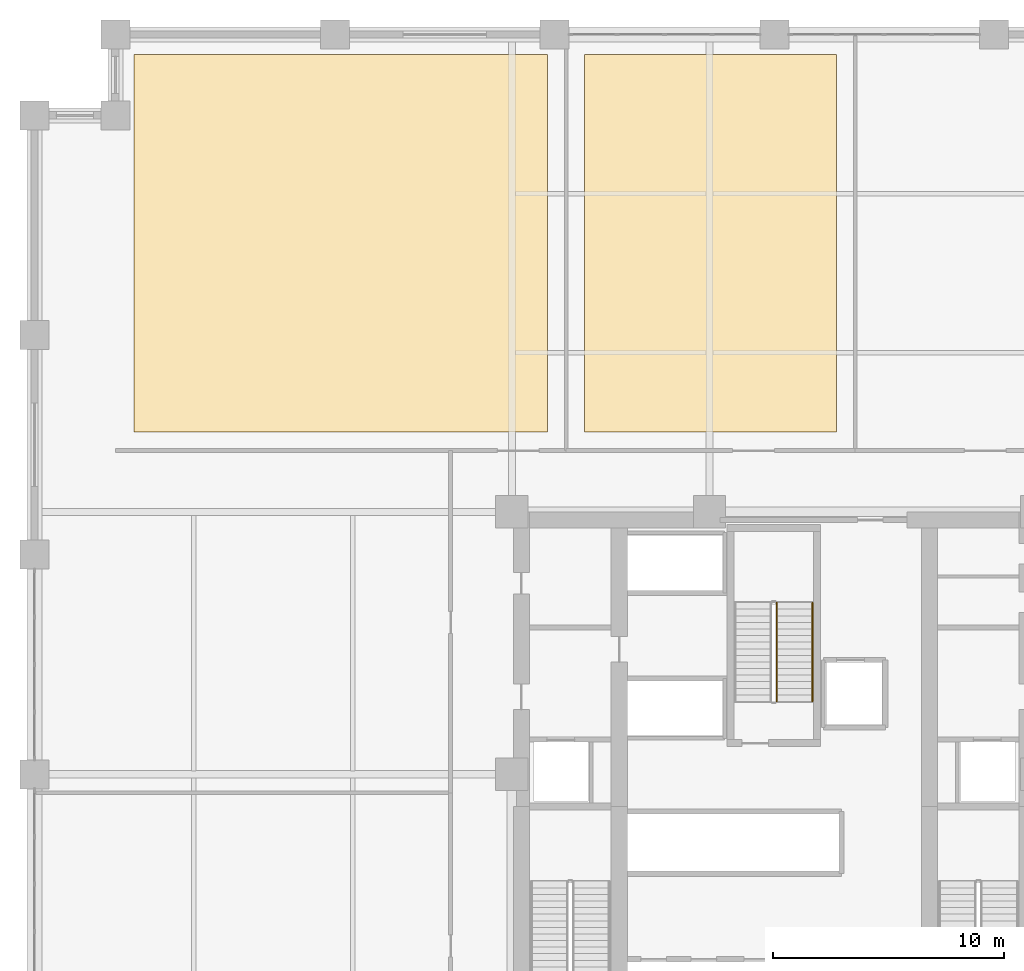
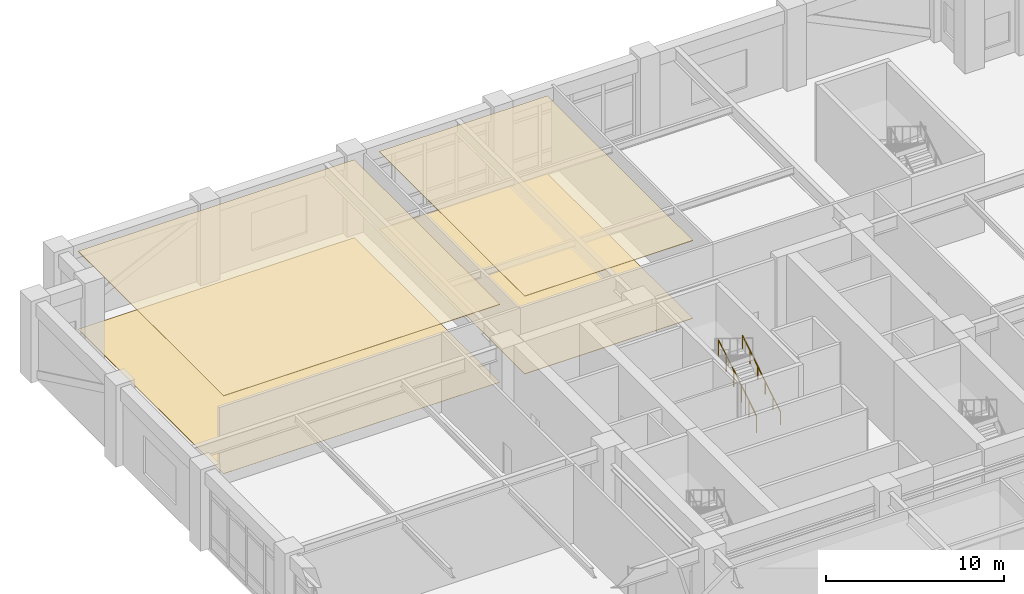
# One storey, part 20 of 21: 4 coverings, 2 railings.
"""IFC4 building model written with IfcOpenShell, lengths in metres."""

from ifc_helpers import new_model, si_unit, direction, frame, origin, origin_2d, place, context, subcontext, project, spatial, polyline, circle, outline, extrude, material, layer, layer_set, type_object, element, save


model = new_model("IFC4")

# Units and contexts
model_context = context("Model", 3, precision=1e-05, world=origin(), true_north=direction((0.0, 1.0)))
body_context = subcontext(model_context, "Body", "Model", "MODEL_VIEW")
ifc_project = project(units=[si_unit("LENGTHUNIT", "METRE"), si_unit("AREAUNIT", "SQUARE_METRE"), si_unit("VOLUMEUNIT", "CUBIC_METRE"), si_unit("PLANEANGLEUNIT", "RADIAN"), si_unit("MASSUNIT", "GRAM", prefix="KILO")], contexts=[model_context])

# Site, building, storey
site_placement = place(None, origin())
site = spatial("IfcSite", under=ifc_project, at=site_placement, CompositionType="ELEMENT")
building_placement = place(site_placement, origin())
building = spatial("IfcBuilding", under=site, at=building_placement, Name="Nhamokura Convention Tower", CompositionType="ELEMENT")
storey_placement = place(building_placement, frame((0.0, 0.0, 6.64990234375)))
storey = spatial("IfcBuildingStorey", under=building, at=storey_placement, Name="L01", CompositionType="ELEMENT", Elevation=6.64990234375)

# Coverings
ifc_material_1 = material(Name="Anodised bronze aluminium ceiling baffle", Category="aluminium")
ifc_layer_1 = layer(ifc_material_1, 0.0400390625)
ifc_layer_set_1 = layer_set([ifc_layer_1], Name="BronzeBaffleCeiling_40")
covering_type_1 = type_object("IfcCoveringType", Name="BronzeBaffleCeiling_40", PredefinedType="CEILING", material=ifc_layer_set_1)
covering_1_placement = place(storey_placement, frame((0.0, 0.0, 5.320068359375)))
element("IfcCovering", 1, at=covering_1_placement, inside=storey, type_object=covering_type_1, Name="L01 Suspended Ceiling 05", PredefinedType="CEILING", context=body_context, shape_type="SweptSolid", body=[
    extrude(outline(polyline([(4.300048828125, 46.800048828125), (22.199951171875, 46.800048828125), (22.199951171875, 63.139892578125), (4.300048828125, 63.139892578125), (4.300048828125, 46.800048828125)])), origin(), (0.0, 0.0, 1.0), 0.0400390625),
])
covering_2_placement = place(storey_placement, frame((0.0, 0.0, 5.320068359375)))
element("IfcCovering", 2, at=covering_2_placement, inside=storey, type_object=covering_type_1, Name="L01 Suspended Ceiling 06", PredefinedType="CEILING", context=body_context, shape_type="SweptSolid", body=[
    extrude(outline(polyline([(23.800048828125, 46.800048828125), (34.699951171875, 46.800048828125), (34.699951171875, 63.139892578125), (23.800048828125, 63.139892578125), (23.800048828125, 46.800048828125)])), origin(), (0.0, 0.0, 1.0), 0.0400390625),
])
ifc_material_2 = material(Name="Polished Sabana granite terrazzo", Category="masonry")
ifc_layer_2 = layer(ifc_material_2, 0.030029296875)
ifc_layer_set_2 = layer_set([ifc_layer_2], Name="SabanaTerrazzoFlooring_30")
covering_type_2 = type_object("IfcCoveringType", Name="SabanaTerrazzoFlooring_30", PredefinedType="FLOORING", material=ifc_layer_set_2)
covering_3_placement = place(storey_placement, origin())
element("IfcCovering", 3, at=covering_3_placement, inside=storey, type_object=covering_type_2, Name="L01 Finish Flooring 06", PredefinedType="FLOORING", context=body_context, shape_type="SweptSolid", body=[
    extrude(outline(polyline([(23.800048828125, 46.800048828125), (34.699951171875, 46.800048828125), (34.699951171875, 63.139892578125), (23.800048828125, 63.139892578125), (23.800048828125, 46.800048828125)])), origin(), (0.0, 0.0, 1.0), 0.030029296875),
])

# Railings
ifc_material_3 = material(Name="Anodised bronze stainless steel", Category="steel")
railing_type_1 = type_object("IfcRailingType", Name="StairWallHandrail_900", PredefinedType="HANDRAIL", material=ifc_material_3)
railing_1_placement = place(storey_placement, frame((33.64990234375, 35.14990234375, 0.175048828125)))
element("IfcRailing", 4, at=railing_1_placement, inside=storey, type_object=railing_type_1, Name="L01 ST-03 stair handrail 1", PredefinedType="HANDRAIL", context=body_context, shape_type="SweptSolid", body=[
    extrude(circle(Radius=0.02392578125, at=origin_2d()), frame((0.0, 0.0, 0.8759765625), z_axis=(0.0, 0.852179220489, 0.52325001306), x_axis=(-1.0, 0.0, 0.0)), (0.0, 0.0, 1.0), 5.0166015625),
    extrude(circle(Radius=0.02099609375, at=origin_2d()), origin(), (0.0, 0.0, 1.0), 0.851806640625),
    extrude(circle(Radius=0.02099609375, at=origin_2d()), frame((0.0, 0.85498046875, 0.52490234375)), (0.0, 0.0, 1.0), 0.851806640625),
    extrude(circle(Radius=0.02099609375, at=origin_2d()), frame((0.0, 1.7099609375, 1.050048828125)), (0.0, 0.0, 1.0), 0.851806640625),
    extrude(circle(Radius=0.02099609375, at=origin_2d()), frame((0.0, 2.565185546875, 1.574951171875)), (0.0, 0.0, 1.0), 0.851806640625),
    extrude(circle(Radius=0.02099609375, at=origin_2d()), frame((0.0, 3.420166015625, 2.10009765625)), (0.0, 0.0, 1.0), 0.851806640625),
    extrude(circle(Radius=0.02099609375, at=origin_2d()), frame((0.0, 4.275146484375, 2.625)), (0.0, 0.0, 1.0), 0.851806640625),
])
ifc_material_4 = material(Name="Painted tubular steel", Category="steel")
railing_type_2 = type_object("IfcRailingType", Name="StairWellGuardrail_1150", PredefinedType="GUARDRAIL", material=ifc_material_4)
railing_2_placement = place(storey_placement, frame((32.10009765625, 35.14990234375, 0.175048828125)))
element("IfcRailing", 5, at=railing_2_placement, inside=storey, type_object=railing_type_2, Name="L01 ST-03 stair guard 1", PredefinedType="GUARDRAIL", context=body_context, shape_type="SweptSolid", body=[
    extrude(circle(Radius=0.02392578125, at=origin_2d()), frame((0.0, 0.0, 1.1259765625), z_axis=(0.0, 0.852179220489, 0.52325001306), x_axis=(-1.0, 0.0, 0.0)), (0.0, 0.0, 1.0), 5.0166015625),
    extrude(circle(Radius=0.02099609375, at=origin_2d()), origin(), (0.0, 0.0, 1.0), 1.101806640625),
    extrude(circle(Radius=0.02099609375, at=origin_2d()), frame((0.0, 0.85498046875, 0.52490234375)), (0.0, 0.0, 1.0), 1.101806640625),
    extrude(circle(Radius=0.02099609375, at=origin_2d()), frame((0.0, 1.7099609375, 1.050048828125)), (0.0, 0.0, 1.0), 1.101806640625),
    extrude(circle(Radius=0.02099609375, at=origin_2d()), frame((0.0, 2.565185546875, 1.574951171875)), (0.0, 0.0, 1.0), 1.101806640625),
    extrude(circle(Radius=0.02099609375, at=origin_2d()), frame((0.0, 3.420166015625, 2.10009765625)), (0.0, 0.0, 1.0), 1.101806640625),
    extrude(circle(Radius=0.02099609375, at=origin_2d()), frame((0.0, 4.275146484375, 2.625)), (0.0, 0.0, 1.0), 1.101806640625),
])

# Covering
ifc_material_5 = material(Name="Acoustic woven hospitality carpet", Category="wood")
ifc_layer_3 = layer(ifc_material_5, 0.014892578125)
ifc_layer_set_3 = layer_set([ifc_layer_3], Name="WovenCarpetFlooring_15")
covering_type_3 = type_object("IfcCoveringType", Name="WovenCarpetFlooring_15", PredefinedType="FLOORING", material=ifc_layer_set_3)
covering_4_placement = place(storey_placement, origin())
element("IfcCovering", 6, at=covering_4_placement, inside=storey, type_object=covering_type_3, Name="L01 Finish Flooring 05", PredefinedType="FLOORING", context=body_context, shape_type="SweptSolid", body=[
    extrude(outline(polyline([(4.300048828125, 46.800048828125), (22.199951171875, 46.800048828125), (22.199951171875, 63.139892578125), (4.300048828125, 63.139892578125), (4.300048828125, 46.800048828125)])), origin(), (0.0, 0.0, 1.0), 0.01513671875),
])

save(model, "model.ifc")
